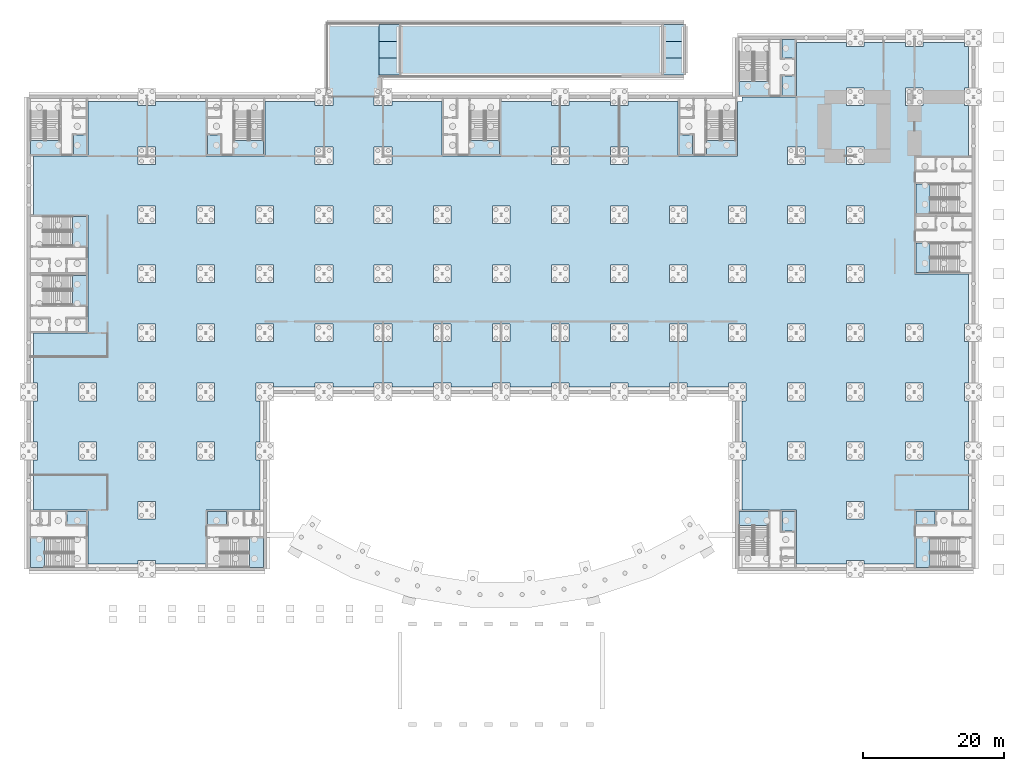
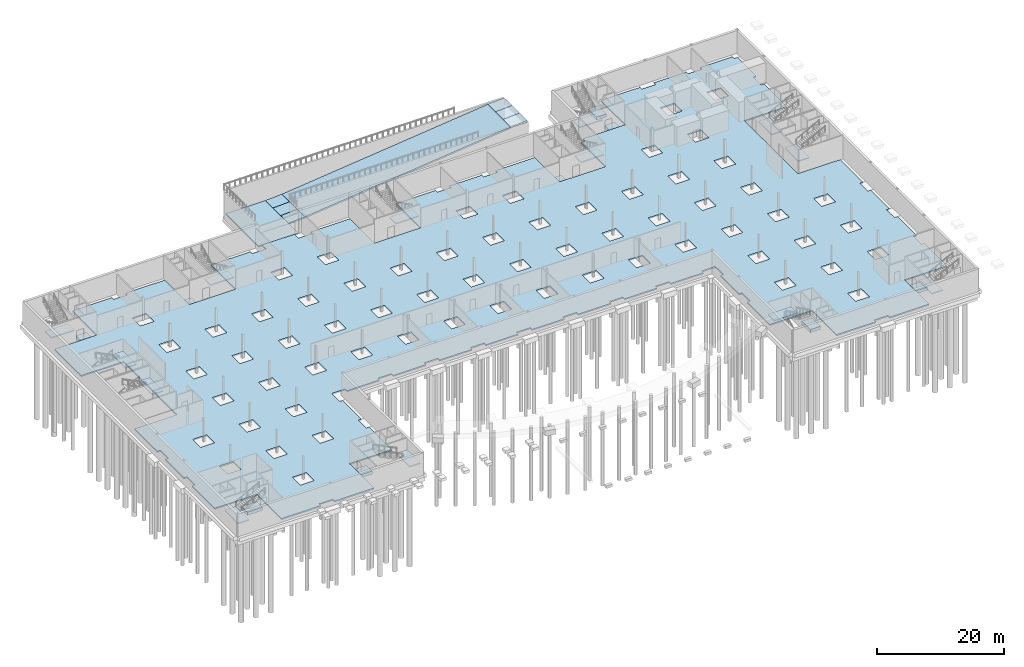
# One storey, part 17 of 35: 31 slabs, 13 elements without a shape of their own.
"""IFC4 building model written with IfcOpenShell, lengths in metres."""

import ifcopenshell
import ifcopenshell.guid

model = None  # the IFC model being written
_history = None  # IfcOwnerHistory: only IFC2X3 demands one
_inside = {}  # id of a spatial element -> (the spatial element, [elements in it])
_under = {}  # id of a project, library or spatial element -> (it, [spatial elements below it])
_declared = {}  # id of a project -> (the project, [libraries it declares])
_typed = {}  # id of a type object -> (the type object, [elements of that type])
_made_of = {}  # id of a material, layer set ... -> (it, [elements and type objects made of it])


def new_model(schema):
    """Start an empty IFC model of exactly this schema.

    Asked for "IFC4X3", IfcOpenShell would pick the latest addendum, in which some entities
    have other attributes; the version numbers below select the first issue.
    IFC2X3 requires an IfcOwnerHistory on every rooted entity: one is made here for all.
    """
    global model, _history
    if schema == "IFC4X3":
        model = ifcopenshell.file(schema_version=(4, 3, 0, 0))
    else:
        model = ifcopenshell.file(schema=schema)
    _inside.clear()
    _under.clear()
    _declared.clear()
    _typed.clear()
    _made_of.clear()
    _history = None
    if model.schema == "IFC2X3":
        org = make("IfcOrganization", Name="unknown")
        user = make(
            "IfcPersonAndOrganization",
            ThePerson=make("IfcPerson", FamilyName="unknown"),
            TheOrganization=org,
        )
        app = make(
            "IfcApplication",
            ApplicationDeveloper=org,
            Version="unknown",
            ApplicationFullName="unknown",
            ApplicationIdentifier="unknown",
        )
        _history = make(
            "IfcOwnerHistory",
            OwningUser=user,
            OwningApplication=app,
            ChangeAction="ADDED",
            CreationDate=0,
        )
    return model


def make(cls, **values):
    """One entity of the class cls with the attributes given. An attribute that is None is left unset."""
    return model.create_entity(
        cls, **{name: value for name, value in values.items() if value is not None}
    )


def rooted(cls, **values):
    """An entity with a GlobalId (a new one), such as an element, a storey or a relation."""
    return make(cls, GlobalId=ifcopenshell.guid.new(), OwnerHistory=_history, **values)


def si_unit(unit_type, name, prefix=None):
    """IfcSIUnit, for example si_unit("LENGTHUNIT", "METRE", prefix="MILLI")."""
    return make("IfcSIUnit", UnitType=unit_type, Prefix=prefix, Name=name)


def assignment(units):
    """IfcUnitAssignment: the units of a project."""
    return None if units is None else make("IfcUnitAssignment", Units=units)


def point(xyz):
    """IfcCartesianPoint."""
    return None if xyz is None else make("IfcCartesianPoint", Coordinates=xyz)


def direction(xyz):
    """IfcDirection."""
    return None if xyz is None else make("IfcDirection", DirectionRatios=xyz)


def frame(location, z_axis=None, x_axis=None):
    """IfcAxis2Placement3D, a coordinate frame: its origin and axes. An axis left out is left unset."""
    return make(
        "IfcAxis2Placement3D",
        Location=point(location),
        Axis=direction(z_axis),
        RefDirection=direction(x_axis),
    )


def origin():
    """The frame at (0, 0, 0) with its axes left unset."""
    return frame((0.0, 0.0, 0.0))


def place(relative_to, where):
    """IfcLocalPlacement: puts the frame where relative to a parent placement (None: the world)."""
    return make(
        "IfcLocalPlacement", PlacementRelTo=relative_to, RelativePlacement=where
    )


def context(
    kind, dimensions, precision=None, world=None, true_north=None, identifier=None
):
    """IfcGeometricRepresentationContext, for example the 3D "Model" context."""
    return make(
        "IfcGeometricRepresentationContext",
        ContextIdentifier=identifier,
        ContextType=kind,
        CoordinateSpaceDimension=dimensions,
        Precision=precision,
        WorldCoordinateSystem=world,
        TrueNorth=true_north,
    )


def subcontext(parent, identifier, kind, view, scale=None):
    """IfcGeometricRepresentationSubContext, for example "Body" below "Model"."""
    return make(
        "IfcGeometricRepresentationSubContext",
        ContextIdentifier=identifier,
        ContextType=kind,
        ParentContext=parent,
        TargetScale=scale,
        TargetView=view,
    )


def project(units=None, contexts=None):
    """IfcProject with its units and contexts."""
    return rooted(
        "IfcProject",
        Name="project",
        RepresentationContexts=contexts,
        UnitsInContext=assignment(units),
    )


def spatial(cls, under=None, at=None, **own):
    """A site, building, storey or space (cls), placed at a placement, below another one or the project."""
    s = rooted(cls, ObjectPlacement=at, **own)
    if under is not None:
        _under.setdefault(under.id(), (under, []))[1].append(s)
    return s


def polyline(points):
    """IfcPolyline through the points."""
    return make("IfcPolyline", Points=[point(p) for p in points])


def outline(outer, holes=None, kind="AREA"):
    """IfcArbitraryClosedProfileDef: a profile drawn as a closed curve; with holes, ...WithVoids."""
    if holes is None:
        return make("IfcArbitraryClosedProfileDef", ProfileType=kind, OuterCurve=outer)
    return make(
        "IfcArbitraryProfileDefWithVoids",
        ProfileType=kind,
        OuterCurve=outer,
        InnerCurves=holes,
    )


def extrude(swept, where, along, depth):
    """IfcExtrudedAreaSolid: the profile swept, set in the frame where, extruded along a direction by depth."""
    return make(
        "IfcExtrudedAreaSolid",
        SweptArea=swept,
        Position=where,
        ExtrudedDirection=direction(along),
        Depth=depth,
    )


def shape(context_of_items, identifier, shape_type, items):
    """IfcShapeRepresentation: the items that make up one representation, for example the "Body"."""
    return make(
        "IfcShapeRepresentation",
        ContextOfItems=context_of_items,
        RepresentationIdentifier=identifier,
        RepresentationType=shape_type,
        Items=items,
    )


def material(Name=None, Category=None):
    """IfcMaterial."""
    return make("IfcMaterial", Name=Name, Category=Category)


def layer(
    of_material, thickness, ventilated=None, Name=None, Category=None, Priority=None
):
    """IfcMaterialLayer: one layer of a wall or slab, of a material (None: an air gap)."""
    return make(
        "IfcMaterialLayer",
        Material=of_material,
        LayerThickness=thickness,
        IsVentilated=ventilated,
        Name=Name,
        Category=Category,
        Priority=Priority,
    )


def layer_set(layers, Name=None):
    """IfcMaterialLayerSet."""
    return make("IfcMaterialLayerSet", MaterialLayers=layers, LayerSetName=Name)


def made_of(thing, what):
    """Note that an element or type object is made of a material, layer set ...; save() writes the relation."""
    if what is not None:
        _made_of.setdefault(what.id(), (what, []))[1].append(thing)
    return thing


def type_object(cls, material=None, **own):
    """A type object (cls), such as IfcWallType, which elements share."""
    return made_of(rooted(cls, **own), material)


def element(
    cls,
    number,
    at=None,
    inside=None,
    cuts=None,
    type_object=None,
    material=None,
    context=None,
    identifier="Body",
    shape_type=None,
    held_by="IfcProductDefinitionShape",
    body=None,
    shapes=None,
    **own,
):
    """One element of the class cls, such as IfcWall. Its Tag is "e" and its number.

    at: its placement. inside: the storey or other place that contains it. cuts: it is an
    opening in that element (IfcRelVoidsElement). A single representation is given by context,
    identifier, shape_type and body (its items); several are given by shapes. held_by: the class
    of the entity that holds the representations. save() writes the other relations.
    """
    e = rooted(cls, Tag="e%d" % number, ObjectPlacement=at, **own)
    if body is not None:
        shapes = [shape(context, identifier, shape_type, body)]
    if shapes is not None:
        e.Representation = make(held_by, Representations=shapes)
    if inside is not None:
        _inside.setdefault(inside.id(), (inside, []))[1].append(e)
    if cuts is not None:
        rooted(
            "IfcRelVoidsElement", RelatingBuildingElement=cuts, RelatedOpeningElement=e
        )
    if type_object is not None:
        _typed.setdefault(type_object.id(), (type_object, []))[1].append(e)
    return made_of(e, material)


def aggregate(whole, parts):
    """IfcRelAggregates: a whole, such as a stair, and the parts it consists of."""
    return rooted("IfcRelAggregates", RelatingObject=whole, RelatedObjects=parts)


def save(model, path):
    """Write the relations noted so far, then the file.

    IfcRelAggregates (storeys below a building ...), IfcRelContainedInSpatialStructure (elements
    in a storey), IfcRelDefinesByType, IfcRelAssociatesMaterial and IfcRelDeclares: one each for
    every whole, place, type object, material and project.
    """
    for whole, parts in _under.values():
        aggregate(whole, parts)
    for where, things in _inside.values():
        rooted(
            "IfcRelContainedInSpatialStructure",
            RelatedElements=things,
            RelatingStructure=where,
        )
    for kind, things in _typed.values():
        rooted("IfcRelDefinesByType", RelatedObjects=things, RelatingType=kind)
    for what, things in _made_of.values():
        rooted("IfcRelAssociatesMaterial", RelatedObjects=things, RelatingMaterial=what)
    for by, libraries in _declared.values():
        rooted("IfcRelDeclares", RelatingContext=by, RelatedDefinitions=libraries)
    model.write(path)


model = new_model("IFC4")

# Units and contexts
model_context = context("Model", 3, precision=1e-05, world=origin(), true_north=direction((0.0, 1.0)))
body_context = subcontext(model_context, "Body", "Model", "MODEL_VIEW")
ifc_project = project(units=[si_unit("LENGTHUNIT", "METRE"), si_unit("AREAUNIT", "SQUARE_METRE"), si_unit("VOLUMEUNIT", "CUBIC_METRE"), si_unit("PLANEANGLEUNIT", "RADIAN"), si_unit("MASSUNIT", "GRAM", prefix="KILO")], contexts=[model_context])

# Site, building, storey
site_placement = place(None, origin())
site = spatial("IfcSite", under=ifc_project, at=site_placement, CompositionType="ELEMENT")
building_placement = place(site_placement, origin())
building = spatial("IfcBuilding", under=site, at=building_placement, Name="Ardhachandra Cancer Care Centre", CompositionType="ELEMENT")
storey_placement = place(building_placement, frame((0.0, 0.0, -4.5)))
storey = spatial("IfcBuildingStorey", under=building, at=storey_placement, Name="B1", CompositionType="ELEMENT", Elevation=-4.5)

# Slabs
ifc_material_1 = material(Name="Concrete M40", Category="concrete")
ifc_layer_1 = layer(ifc_material_1, 0.25)
ifc_layer_set_1 = layer_set([ifc_layer_1], Name="Concrete M40")
slab_type_1 = type_object("IfcSlabType", Name="Ground slab 250", PredefinedType="BASESLAB", material=ifc_layer_set_1)
slab_1_placement = place(storey_placement, frame((0.0, 0.0, -0.25)))
element("IfcSlab", 1, at=slab_1_placement, inside=storey, type_object=slab_type_1, Name="Basement ground slab 01", PredefinedType="BASESLAB", context=body_context, shape_type="SweptSolid", body=[
    extrude(outline(polyline([(11.5, 37.800048828125), (19.199951171875, 37.800048828125), (19.199951171875, 30.10009765625), (26.35009765625, 30.10009765625), (26.35009765625, 30.64990234375), (28.85009765625, 30.64990234375), (28.85009765625, 30.10009765625), (36.0, 30.10009765625), (36.0, 37.800048828125), (43.699951171875, 37.800048828125), (43.699951171875, 44.949951171875), (43.14990234375, 44.949951171875), (43.14990234375, 47.449951171875), (43.699951171875, 47.449951171875), (43.699951171875, 53.35009765625), (43.14990234375, 53.35009765625), (43.14990234375, 55.85009765625), (45.64990234375, 55.85009765625), (45.64990234375, 55.300048828125), (51.550048828125, 55.300048828125), (51.550048828125, 55.85009765625), (54.050048828125, 55.85009765625), (54.050048828125, 55.300048828125), (59.949951171875, 55.300048828125), (59.949951171875, 55.85009765625), (62.449951171875, 55.85009765625), (62.449951171875, 55.300048828125), (68.35009765625, 55.300048828125), (68.35009765625, 55.85009765625), (70.85009765625, 55.85009765625), (70.85009765625, 55.300048828125), (76.75, 55.300048828125), (76.75, 55.85009765625), (79.25, 55.85009765625), (79.25, 55.300048828125), (85.14990234375, 55.300048828125), (85.14990234375, 55.85009765625), (87.64990234375, 55.85009765625), (87.64990234375, 55.300048828125), (93.550048828125, 55.300048828125), (93.550048828125, 55.85009765625), (96.050048828125, 55.85009765625), (96.050048828125, 55.300048828125), (101.949951171875, 55.300048828125), (101.949951171875, 55.85009765625), (104.449951171875, 55.85009765625), (104.449951171875, 55.300048828125), (110.35009765625, 55.300048828125), (110.35009765625, 55.85009765625), (112.85009765625, 55.85009765625), (112.85009765625, 53.35009765625), (112.300048828125, 53.35009765625), (112.300048828125, 47.449951171875), (112.85009765625, 47.449951171875), (112.85009765625, 44.949951171875), (112.300048828125, 44.949951171875), (112.300048828125, 37.800048828125), (120.0, 37.800048828125), (120.0, 30.10009765625), (127.14990234375, 30.10009765625), (127.14990234375, 30.64990234375), (129.64990234375, 30.64990234375), (129.64990234375, 30.10009765625), (136.800048828125, 30.10009765625), (136.800048828125, 37.800048828125), (144.5, 37.800048828125), (144.5, 44.949951171875), (143.949951171875, 44.949951171875), (143.949951171875, 47.449951171875), (144.5, 47.449951171875), (144.5, 53.35009765625), (143.949951171875, 53.35009765625), (143.949951171875, 55.85009765625), (144.5, 55.85009765625), (144.5, 61.75), (143.949951171875, 61.75), (143.949951171875, 64.25), (144.5, 64.25), (144.5, 71.39990234375), (136.800048828125, 71.39990234375), (136.800048828125, 79.800048828125), (136.800048828125, 88.199951171875), (144.5, 88.199951171875), (144.5, 95.35009765625), (143.949951171875, 95.35009765625), (143.949951171875, 97.85009765625), (144.5, 97.85009765625), (144.5, 103.75), (143.949951171875, 103.75), (143.949951171875, 104.300048828125), (138.050048828125, 104.300048828125), (138.050048828125, 103.75), (135.550048828125, 103.75), (135.550048828125, 104.300048828125), (129.64990234375, 104.300048828125), (129.64990234375, 103.75), (127.14990234375, 103.75), (127.14990234375, 104.300048828125), (120.0, 104.300048828125), (120.0, 96.60009765625), (112.300048828125, 96.60009765625), (112.300048828125, 95.89990234375), (111.60009765625, 95.89990234375), (111.60009765625, 88.199951171875), (103.199951171875, 88.199951171875), (103.199951171875, 95.89990234375), (96.050048828125, 95.89990234375), (96.050048828125, 95.35009765625), (93.550048828125, 95.35009765625), (93.550048828125, 95.89990234375), (87.64990234375, 95.89990234375), (87.64990234375, 95.35009765625), (85.14990234375, 95.35009765625), (85.14990234375, 95.89990234375), (78.0, 95.89990234375), (78.0, 88.199951171875), (69.60009765625, 88.199951171875), (69.60009765625, 95.89990234375), (62.449951171875, 95.89990234375), (62.449951171875, 95.35009765625), (59.949951171875, 95.35009765625), (59.949951171875, 96.60009765625), (54.050048828125, 96.60009765625), (54.050048828125, 95.35009765625), (51.550048828125, 95.35009765625), (51.550048828125, 95.89990234375), (44.39990234375, 95.89990234375), (44.39990234375, 88.199951171875), (36.0, 88.199951171875), (36.0, 95.89990234375), (28.85009765625, 95.89990234375), (28.85009765625, 95.35009765625), (26.35009765625, 95.35009765625), (26.35009765625, 95.89990234375), (19.199951171875, 95.89990234375), (19.199951171875, 88.199951171875), (11.5, 88.199951171875), (11.5, 79.800048828125), (19.199951171875, 79.800048828125), (19.199951171875, 71.39990234375), (19.199951171875, 63.0), (11.5, 63.0), (11.5, 55.85009765625), (12.050048828125, 55.85009765625), (12.050048828125, 53.35009765625), (11.5, 53.35009765625), (11.5, 47.449951171875), (12.050048828125, 47.449951171875), (12.050048828125, 44.949951171875), (11.5, 44.949951171875), (11.5, 37.800048828125)]), holes=[polyline([(26.35009765625, 36.550048828125), (28.85009765625, 36.550048828125), (28.85009765625, 39.050048828125), (26.35009765625, 39.050048828125), (26.35009765625, 36.550048828125)]), polyline([(34.75, 44.949951171875), (37.25, 44.949951171875), (37.25, 47.449951171875), (34.75, 47.449951171875), (34.75, 44.949951171875)]), polyline([(17.949951171875, 47.449951171875), (17.949951171875, 44.949951171875), (20.449951171875, 44.949951171875), (20.449951171875, 47.449951171875), (17.949951171875, 47.449951171875)]), polyline([(26.35009765625, 47.449951171875), (26.35009765625, 44.949951171875), (28.85009765625, 44.949951171875), (28.85009765625, 47.449951171875), (26.35009765625, 47.449951171875)]), polyline([(34.75, 55.85009765625), (34.75, 53.35009765625), (37.25, 53.35009765625), (37.25, 55.85009765625), (34.75, 55.85009765625)]), polyline([(26.35009765625, 55.85009765625), (26.35009765625, 53.35009765625), (28.85009765625, 53.35009765625), (28.85009765625, 55.85009765625), (26.35009765625, 55.85009765625)]), polyline([(17.949951171875, 53.35009765625), (20.449951171875, 53.35009765625), (20.449951171875, 55.85009765625), (17.949951171875, 55.85009765625), (17.949951171875, 53.35009765625)]), polyline([(26.35009765625, 64.25), (26.35009765625, 61.75), (28.85009765625, 61.75), (28.85009765625, 64.25), (26.35009765625, 64.25)]), polyline([(34.75, 64.25), (34.75, 61.75), (37.25, 61.75), (37.25, 64.25), (34.75, 64.25)]), polyline([(26.35009765625, 72.64990234375), (26.35009765625, 70.14990234375), (28.85009765625, 70.14990234375), (28.85009765625, 72.64990234375), (26.35009765625, 72.64990234375)]), polyline([(34.75, 72.64990234375), (34.75, 70.14990234375), (37.25, 70.14990234375), (37.25, 72.64990234375), (34.75, 72.64990234375)]), polyline([(26.35009765625, 81.050048828125), (26.35009765625, 78.550048828125), (28.85009765625, 78.550048828125), (28.85009765625, 81.050048828125), (26.35009765625, 81.050048828125)]), polyline([(34.75, 81.050048828125), (34.75, 78.550048828125), (37.25, 78.550048828125), (37.25, 81.050048828125), (34.75, 81.050048828125)]), polyline([(43.14990234375, 81.050048828125), (43.14990234375, 78.550048828125), (45.64990234375, 78.550048828125), (45.64990234375, 81.050048828125), (43.14990234375, 81.050048828125)]), polyline([(26.35009765625, 89.449951171875), (26.35009765625, 86.949951171875), (28.85009765625, 86.949951171875), (28.85009765625, 89.449951171875), (26.35009765625, 89.449951171875)]), polyline([(43.14990234375, 61.75), (45.64990234375, 61.75), (45.64990234375, 64.25), (43.14990234375, 64.25), (43.14990234375, 61.75)]), polyline([(76.75, 64.25), (76.75, 61.75), (79.25, 61.75), (79.25, 64.25), (76.75, 64.25)]), polyline([(51.550048828125, 64.25), (51.550048828125, 61.75), (54.050048828125, 61.75), (54.050048828125, 64.25), (51.550048828125, 64.25)]), polyline([(68.35009765625, 64.25), (68.35009765625, 61.75), (70.85009765625, 61.75), (70.85009765625, 64.25), (68.35009765625, 64.25)]), polyline([(59.949951171875, 64.25), (59.949951171875, 61.75), (62.449951171875, 61.75), (62.449951171875, 64.25), (59.949951171875, 64.25)]), polyline([(43.14990234375, 72.64990234375), (43.14990234375, 70.14990234375), (45.64990234375, 70.14990234375), (45.64990234375, 72.64990234375), (43.14990234375, 72.64990234375)]), polyline([(76.75, 72.64990234375), (76.75, 70.14990234375), (79.25, 70.14990234375), (79.25, 72.64990234375), (76.75, 72.64990234375)]), polyline([(68.35009765625, 70.14990234375), (70.85009765625, 70.14990234375), (70.85009765625, 72.64990234375), (68.35009765625, 72.64990234375), (68.35009765625, 70.14990234375)]), polyline([(59.949951171875, 72.64990234375), (59.949951171875, 70.14990234375), (62.449951171875, 70.14990234375), (62.449951171875, 72.64990234375), (59.949951171875, 72.64990234375)]), polyline([(51.550048828125, 72.64990234375), (51.550048828125, 70.14990234375), (54.050048828125, 70.14990234375), (54.050048828125, 72.64990234375), (51.550048828125, 72.64990234375)]), polyline([(59.949951171875, 78.550048828125), (62.449951171875, 78.550048828125), (62.449951171875, 81.050048828125), (59.949951171875, 81.050048828125), (59.949951171875, 78.550048828125)]), polyline([(51.550048828125, 81.050048828125), (51.550048828125, 78.550048828125), (54.050048828125, 78.550048828125), (54.050048828125, 81.050048828125), (51.550048828125, 81.050048828125)]), polyline([(68.35009765625, 81.050048828125), (68.35009765625, 78.550048828125), (70.85009765625, 78.550048828125), (70.85009765625, 81.050048828125), (68.35009765625, 81.050048828125)]), polyline([(76.75, 78.550048828125), (79.25, 78.550048828125), (79.25, 81.050048828125), (76.75, 81.050048828125), (76.75, 78.550048828125)]), polyline([(85.14990234375, 81.050048828125), (85.14990234375, 78.550048828125), (87.64990234375, 78.550048828125), (87.64990234375, 81.050048828125), (85.14990234375, 81.050048828125)]), polyline([(59.949951171875, 89.449951171875), (59.949951171875, 86.949951171875), (62.449951171875, 86.949951171875), (62.449951171875, 89.449951171875), (59.949951171875, 89.449951171875)]), polyline([(51.550048828125, 89.449951171875), (51.550048828125, 86.949951171875), (54.050048828125, 86.949951171875), (54.050048828125, 89.449951171875), (51.550048828125, 89.449951171875)]), polyline([(85.14990234375, 89.449951171875), (85.14990234375, 86.949951171875), (87.64990234375, 86.949951171875), (87.64990234375, 89.449951171875), (85.14990234375, 89.449951171875)]), polyline([(118.75, 47.449951171875), (118.75, 44.949951171875), (121.25, 44.949951171875), (121.25, 47.449951171875), (118.75, 47.449951171875)]), polyline([(118.75, 55.85009765625), (118.75, 53.35009765625), (121.25, 53.35009765625), (121.25, 55.85009765625), (118.75, 55.85009765625)]), polyline([(93.550048828125, 64.25), (93.550048828125, 61.75), (96.050048828125, 61.75), (96.050048828125, 64.25), (93.550048828125, 64.25)]), polyline([(101.949951171875, 64.25), (101.949951171875, 61.75), (104.449951171875, 61.75), (104.449951171875, 64.25), (101.949951171875, 64.25)]), polyline([(85.14990234375, 64.25), (85.14990234375, 61.75), (87.64990234375, 61.75), (87.64990234375, 64.25), (85.14990234375, 64.25)]), polyline([(110.35009765625, 64.25), (110.35009765625, 61.75), (112.85009765625, 61.75), (112.85009765625, 64.25), (110.35009765625, 64.25)]), polyline([(85.14990234375, 70.14990234375), (87.64990234375, 70.14990234375), (87.64990234375, 72.64990234375), (85.14990234375, 72.64990234375), (85.14990234375, 70.14990234375)]), polyline([(118.75, 72.64990234375), (118.75, 70.14990234375), (121.25, 70.14990234375), (121.25, 72.64990234375), (118.75, 72.64990234375)]), polyline([(101.949951171875, 72.64990234375), (101.949951171875, 70.14990234375), (104.449951171875, 70.14990234375), (104.449951171875, 72.64990234375), (101.949951171875, 72.64990234375)]), polyline([(110.35009765625, 70.14990234375), (112.85009765625, 70.14990234375), (112.85009765625, 72.64990234375), (110.35009765625, 72.64990234375), (110.35009765625, 70.14990234375)]), polyline([(93.550048828125, 72.64990234375), (93.550048828125, 70.14990234375), (96.050048828125, 70.14990234375), (96.050048828125, 72.64990234375), (93.550048828125, 72.64990234375)]), polyline([(93.550048828125, 81.050048828125), (93.550048828125, 78.550048828125), (96.050048828125, 78.550048828125), (96.050048828125, 81.050048828125), (93.550048828125, 81.050048828125)]), polyline([(110.35009765625, 78.550048828125), (112.85009765625, 78.550048828125), (112.85009765625, 81.050048828125), (110.35009765625, 81.050048828125), (110.35009765625, 78.550048828125)]), polyline([(101.949951171875, 81.050048828125), (101.949951171875, 78.550048828125), (104.449951171875, 78.550048828125), (104.449951171875, 81.050048828125), (101.949951171875, 81.050048828125)]), polyline([(93.550048828125, 89.449951171875), (93.550048828125, 86.949951171875), (96.050048828125, 86.949951171875), (96.050048828125, 89.449951171875), (93.550048828125, 89.449951171875)]), polyline([(118.75, 89.449951171875), (118.75, 86.949951171875), (121.25, 86.949951171875), (121.25, 89.449951171875), (118.75, 89.449951171875)]), polyline([(127.14990234375, 36.550048828125), (129.64990234375, 36.550048828125), (129.64990234375, 39.050048828125), (127.14990234375, 39.050048828125), (127.14990234375, 36.550048828125)]), polyline([(135.550048828125, 47.449951171875), (135.550048828125, 44.949951171875), (138.050048828125, 44.949951171875), (138.050048828125, 47.449951171875), (135.550048828125, 47.449951171875)]), polyline([(127.14990234375, 44.949951171875), (129.64990234375, 44.949951171875), (129.64990234375, 47.449951171875), (127.14990234375, 47.449951171875), (127.14990234375, 44.949951171875)]), polyline([(135.550048828125, 55.85009765625), (135.550048828125, 53.35009765625), (138.050048828125, 53.35009765625), (138.050048828125, 55.85009765625), (135.550048828125, 55.85009765625)]), polyline([(127.14990234375, 55.85009765625), (127.14990234375, 53.35009765625), (129.64990234375, 53.35009765625), (129.64990234375, 55.85009765625), (127.14990234375, 55.85009765625)]), polyline([(127.14990234375, 64.25), (127.14990234375, 61.75), (129.64990234375, 61.75), (129.64990234375, 64.25), (127.14990234375, 64.25)]), polyline([(135.550048828125, 64.25), (135.550048828125, 61.75), (138.050048828125, 61.75), (138.050048828125, 64.25), (135.550048828125, 64.25)]), polyline([(118.75, 61.75), (121.25, 61.75), (121.25, 64.25), (118.75, 64.25), (118.75, 61.75)]), polyline([(127.14990234375, 72.64990234375), (127.14990234375, 70.14990234375), (129.64990234375, 70.14990234375), (129.64990234375, 72.64990234375), (127.14990234375, 72.64990234375)]), polyline([(127.14990234375, 78.550048828125), (129.64990234375, 78.550048828125), (129.64990234375, 81.050048828125), (127.14990234375, 81.050048828125), (127.14990234375, 78.550048828125)]), polyline([(118.75, 81.050048828125), (118.75, 78.550048828125), (121.25, 78.550048828125), (121.25, 81.050048828125), (118.75, 81.050048828125)]), polyline([(127.14990234375, 86.949951171875), (129.64990234375, 86.949951171875), (129.64990234375, 89.449951171875), (127.14990234375, 89.449951171875), (127.14990234375, 86.949951171875)]), polyline([(135.550048828125, 97.85009765625), (135.550048828125, 95.35009765625), (138.050048828125, 95.35009765625), (138.050048828125, 97.85009765625), (135.550048828125, 97.85009765625)]), polyline([(127.14990234375, 97.85009765625), (127.14990234375, 95.35009765625), (129.64990234375, 95.35009765625), (129.64990234375, 97.85009765625), (127.14990234375, 97.85009765625)])]), origin(), (0.0, 0.0, 1.0), 0.25),
])
ifc_material_2 = material(Name="Concrete M40", Category="concrete")
ifc_layer_2 = layer(ifc_material_2, 0.60009765625)
ifc_layer_set_2 = layer_set([ifc_layer_2], Name="Concrete M40")
slab_type_2 = type_object("IfcSlabType", Name="Lift pit slab 600", PredefinedType="BASESLAB", material=ifc_layer_set_2)
slab_2_placement = place(storey_placement, frame((0.0, 0.0, -1.800048828125)))
element("IfcSlab", 2, at=slab_2_placement, inside=storey, type_object=slab_type_2, Name="Lift pit slab K1-1", PredefinedType="BASESLAB", context=body_context, shape_type="SweptSolid", body=[
    extrude(outline(polyline([(16.25, 35.75), (19.0, 35.75), (19.0, 37.60009765625), (16.25, 37.60009765625), (16.25, 35.75)])), origin(), (0.0, 0.0, 1.0), 0.60009765625),
])
slab_3_placement = place(storey_placement, frame((0.0, 0.0, -1.800048828125)))
element("IfcSlab", 3, at=slab_3_placement, inside=storey, type_object=slab_type_2, Name="Lift pit slab K2-1", PredefinedType="BASESLAB", context=body_context, shape_type="SweptSolid", body=[
    extrude(outline(polyline([(36.199951171875, 35.75), (38.949951171875, 35.75), (38.949951171875, 37.60009765625), (36.199951171875, 37.60009765625), (36.199951171875, 35.75)])), origin(), (0.0, 0.0, 1.0), 0.60009765625),
])
slab_4_placement = place(storey_placement, frame((0.0, 0.0, -1.800048828125)))
element("IfcSlab", 4, at=slab_4_placement, inside=storey, type_object=slab_type_2, Name="Lift pit slab K4-1", PredefinedType="BASESLAB", context=body_context, shape_type="SweptSolid", body=[
    extrude(outline(polyline([(17.14990234375, 88.39990234375), (19.0, 88.39990234375), (19.0, 91.14990234375), (17.14990234375, 91.14990234375), (17.14990234375, 88.39990234375)])), origin(), (0.0, 0.0, 1.0), 0.60009765625),
])
slab_5_placement = place(storey_placement, frame((0.0, 0.0, -1.800048828125)))
element("IfcSlab", 5, at=slab_5_placement, inside=storey, type_object=slab_type_2, Name="Lift pit slab K5-1", PredefinedType="BASESLAB", context=body_context, shape_type="SweptSolid", body=[
    extrude(outline(polyline([(36.199951171875, 88.39990234375), (38.050048828125, 88.39990234375), (38.050048828125, 91.14990234375), (36.199951171875, 91.14990234375), (36.199951171875, 88.39990234375)])), origin(), (0.0, 0.0, 1.0), 0.60009765625),
])
slab_6_placement = place(storey_placement, frame((0.0, 0.0, -1.800048828125)))
element("IfcSlab", 6, at=slab_6_placement, inside=storey, type_object=slab_type_2, Name="Lift pit slab K7-1", PredefinedType="BASESLAB", context=body_context, shape_type="SweptSolid", body=[
    extrude(outline(polyline([(103.39990234375, 88.39990234375), (105.25, 88.39990234375), (105.25, 91.14990234375), (103.39990234375, 91.14990234375), (103.39990234375, 88.39990234375)])), origin(), (0.0, 0.0, 1.0), 0.60009765625),
])
slab_7_placement = place(storey_placement, frame((0.0, 0.0, -1.800048828125)))
element("IfcSlab", 7, at=slab_7_placement, inside=storey, type_object=slab_type_2, Name="Lift pit slab K9-1", PredefinedType="BASESLAB", context=body_context, shape_type="SweptSolid", body=[
    extrude(outline(polyline([(137.0, 35.75), (139.75, 35.75), (139.75, 37.60009765625), (137.0, 37.60009765625), (137.0, 35.75)])), origin(), (0.0, 0.0, 1.0), 0.60009765625),
])
slab_8_placement = place(storey_placement, frame((0.0, 0.0, -1.800048828125)))
element("IfcSlab", 8, at=slab_8_placement, inside=storey, type_object=slab_type_2, Name="Lift pit slab K11-1", PredefinedType="BASESLAB", context=body_context, shape_type="SweptSolid", body=[
    extrude(outline(polyline([(117.949951171875, 34.85009765625), (119.800048828125, 34.85009765625), (119.800048828125, 37.60009765625), (117.949951171875, 37.60009765625), (117.949951171875, 34.85009765625)])), origin(), (0.0, 0.0, 1.0), 0.60009765625),
])
slab_9_placement = place(storey_placement, frame((0.0, 0.0, -1.800048828125)))
element("IfcSlab", 9, at=slab_9_placement, inside=storey, type_object=slab_type_2, Name="Lift pit slab K12-1", PredefinedType="BASESLAB", context=body_context, shape_type="SweptSolid", body=[
    extrude(outline(polyline([(117.949951171875, 96.800048828125), (119.800048828125, 96.800048828125), (119.800048828125, 99.550048828125), (117.949951171875, 99.550048828125), (117.949951171875, 96.800048828125)])), origin(), (0.0, 0.0, 1.0), 0.60009765625),
])
slab_10_placement = place(storey_placement, frame((0.0, 0.0, -1.800048828125)))
element("IfcSlab", 10, at=slab_10_placement, inside=storey, type_object=slab_type_2, Name="Lift pit slab K12-2", PredefinedType="BASESLAB", context=body_context, shape_type="SweptSolid", body=[
    extrude(outline(polyline([(117.949951171875, 102.125), (119.800048828125, 102.125), (119.800048828125, 104.77490234375), (117.949951171875, 104.77490234375), (117.949951171875, 102.125)])), origin(), (0.0, 0.0, 1.0), 0.60009765625),
])
ifc_material_3 = material(Name="Concrete M40", Category="concrete")
ifc_layer_3 = layer(ifc_material_3, 0.25)
ifc_layer_set_3 = layer_set([ifc_layer_3], Name="Concrete M40")
slab_type_3 = type_object("IfcSlabType", Name="Ramp pit floor 250", PredefinedType="LANDING", material=ifc_layer_set_3)
slab_11_placement = place(storey_placement, frame((0.0, 0.0, -0.25)))
element("IfcSlab", 11, at=slab_11_placement, inside=storey, type_object=slab_type_3, Name="Vehicle ramp pit floor", PredefinedType="LANDING", context=body_context, shape_type="SweptSolid", body=[
    extrude(outline(polyline([(53.39990234375, 96.60009765625), (60.60009765625, 96.60009765625), (60.60009765625, 106.89990234375), (53.39990234375, 106.89990234375), (53.39990234375, 96.60009765625)])), origin(), (0.0, 0.0, 1.0), 0.25),
])

# Stair, slab
ifc_material_4 = material(Name="Concrete M40", Category="concrete")
stair_type = type_object("IfcStairType", Name="Dog-leg stair 2000", PredefinedType="HALF_TURN_STAIR", material=ifc_material_4)
stair_1_placement = place(storey_placement, origin())
stair_1 = element("IfcStair", 12, at=stair_1_placement, inside=storey, type_object=stair_type, Name="Stair K1 B1-L00", PredefinedType="HALF_TURN_STAIR")
ifc_material_5 = material(Name="Concrete M40", Category="concrete")
ifc_layer_4 = layer(ifc_material_5, 0.199951171875)
ifc_layer_set_4 = layer_set([ifc_layer_4], Name="Concrete M40")
slab_type_4 = type_object("IfcSlabType", Name="Stair landing 200", PredefinedType="LANDING", material=ifc_layer_set_4)
slab_12_placement = place(storey_placement, frame((0.0, 0.0, 2.050048828125)))
slab_12 = element("IfcSlab", 13, at=slab_12_placement, type_object=slab_type_4, Name="stair K1 B1-L00 landing 1", PredefinedType="LANDING", context=body_context, shape_type="SweptSolid", body=[
    extrude(outline(polyline([(11.02490234375, 29.625), (13.02490234375, 29.625), (13.02490234375, 33.824951171875), (11.02490234375, 33.824951171875), (11.02490234375, 29.625)])), origin(), (0.0, 0.0, 1.0), 0.199951171875),
])
aggregate(stair_1, [slab_12])

stair_2_placement = place(storey_placement, origin())
stair_2 = element("IfcStair", 14, at=stair_2_placement, inside=storey, type_object=stair_type, Name="Stair K2 B1-L00", PredefinedType="HALF_TURN_STAIR")
slab_13_placement = place(storey_placement, frame((0.0, 0.0, 2.050048828125)))
slab_13 = element("IfcSlab", 15, at=slab_13_placement, type_object=slab_type_4, Name="stair K2 B1-L00 landing 1", PredefinedType="LANDING", context=body_context, shape_type="SweptSolid", body=[
    extrude(outline(polyline([(42.175048828125, 29.625), (44.175048828125, 29.625), (44.175048828125, 33.824951171875), (42.175048828125, 33.824951171875), (42.175048828125, 29.625)])), origin(), (0.0, 0.0, 1.0), 0.199951171875),
])
aggregate(stair_2, [slab_13])

stair_3_placement = place(storey_placement, origin())
stair_3 = element("IfcStair", 16, at=stair_3_placement, inside=storey, type_object=stair_type, Name="Stair K3 B1-L00", PredefinedType="HALF_TURN_STAIR")
slab_14_placement = place(storey_placement, frame((0.0, 0.0, 2.050048828125)))
slab_14 = element("IfcSlab", 17, at=slab_14_placement, type_object=slab_type_4, Name="stair K3 B1-L00 landing 1", PredefinedType="LANDING", context=body_context, shape_type="SweptSolid", body=[
    extrude(outline(polyline([(17.0, 67.0), (19.0, 67.0), (19.0, 71.199951171875), (17.0, 71.199951171875), (17.0, 67.0)])), origin(), (0.0, 0.0, 1.0), 0.199951171875),
])
aggregate(stair_3, [slab_14])

stair_4_placement = place(storey_placement, origin())
stair_4 = element("IfcStair", 18, at=stair_4_placement, inside=storey, type_object=stair_type, Name="Stair K4 B1-L00", PredefinedType="HALF_TURN_STAIR")
slab_15_placement = place(storey_placement, frame((0.0, 0.0, 2.050048828125)))
slab_15 = element("IfcSlab", 19, at=slab_15_placement, type_object=slab_type_4, Name="stair K4 B1-L00 landing 1", PredefinedType="LANDING", context=body_context, shape_type="SweptSolid", body=[
    extrude(outline(polyline([(11.02490234375, 88.39990234375), (15.22509765625, 88.39990234375), (15.22509765625, 90.39990234375), (11.02490234375, 90.39990234375), (11.02490234375, 88.39990234375)])), origin(), (0.0, 0.0, 1.0), 0.199951171875),
])
aggregate(stair_4, [slab_15])

stair_5_placement = place(storey_placement, origin())
stair_5 = element("IfcStair", 20, at=stair_5_placement, inside=storey, type_object=stair_type, Name="Stair K5 B1-L00", PredefinedType="HALF_TURN_STAIR")
slab_16_placement = place(storey_placement, frame((0.0, 0.0, 2.050048828125)))
slab_16 = element("IfcSlab", 21, at=slab_16_placement, type_object=slab_type_4, Name="stair K5 B1-L00 landing 1", PredefinedType="LANDING", context=body_context, shape_type="SweptSolid", body=[
    extrude(outline(polyline([(40.0, 88.39990234375), (44.199951171875, 88.39990234375), (44.199951171875, 90.39990234375), (40.0, 90.39990234375), (40.0, 88.39990234375)])), origin(), (0.0, 0.0, 1.0), 0.199951171875),
])
aggregate(stair_5, [slab_16])

stair_6_placement = place(storey_placement, origin())
stair_6 = element("IfcStair", 22, at=stair_6_placement, inside=storey, type_object=stair_type, Name="Stair K6 B1-L00", PredefinedType="HALF_TURN_STAIR")
slab_17_placement = place(storey_placement, frame((0.0, 0.0, 2.050048828125)))
slab_17 = element("IfcSlab", 23, at=slab_17_placement, type_object=slab_type_4, Name="stair K6 B1-L00 landing 1", PredefinedType="LANDING", context=body_context, shape_type="SweptSolid", body=[
    extrude(outline(polyline([(17.0, 75.39990234375), (19.0, 75.39990234375), (19.0, 79.60009765625), (17.0, 79.60009765625), (17.0, 75.39990234375)])), origin(), (0.0, 0.0, 1.0), 0.199951171875),
])
aggregate(stair_6, [slab_17])

stair_7_placement = place(storey_placement, origin())
stair_7 = element("IfcStair", 24, at=stair_7_placement, inside=storey, type_object=stair_type, Name="Stair K7 B1-L00", PredefinedType="HALF_TURN_STAIR")
slab_18_placement = place(storey_placement, frame((0.0, 0.0, 2.050048828125)))
slab_18 = element("IfcSlab", 25, at=slab_18_placement, type_object=slab_type_4, Name="stair K7 B1-L00 landing 1", PredefinedType="LANDING", context=body_context, shape_type="SweptSolid", body=[
    extrude(outline(polyline([(107.199951171875, 88.39990234375), (111.39990234375, 88.39990234375), (111.39990234375, 90.39990234375), (107.199951171875, 90.39990234375), (107.199951171875, 88.39990234375)])), origin(), (0.0, 0.0, 1.0), 0.199951171875),
])
aggregate(stair_7, [slab_18])

stair_8_placement = place(storey_placement, origin())
stair_8 = element("IfcStair", 26, at=stair_8_placement, inside=storey, type_object=stair_type, Name="Stair K8 B1-L00", PredefinedType="HALF_TURN_STAIR")
slab_19_placement = place(storey_placement, frame((0.0, 0.0, 2.050048828125)))
slab_19 = element("IfcSlab", 27, at=slab_19_placement, type_object=slab_type_4, Name="stair K8 B1-L00 landing 1", PredefinedType="LANDING", context=body_context, shape_type="SweptSolid", body=[
    extrude(outline(polyline([(73.60009765625, 88.39990234375), (77.800048828125, 88.39990234375), (77.800048828125, 90.39990234375), (73.60009765625, 90.39990234375), (73.60009765625, 88.39990234375)])), origin(), (0.0, 0.0, 1.0), 0.199951171875),
])
aggregate(stair_8, [slab_19])

stair_9_placement = place(storey_placement, origin())
stair_9 = element("IfcStair", 28, at=stair_9_placement, inside=storey, type_object=stair_type, Name="Stair K9 B1-L00", PredefinedType="HALF_TURN_STAIR")
slab_20_placement = place(storey_placement, frame((0.0, 0.0, 2.050048828125)))
slab_20 = element("IfcSlab", 29, at=slab_20_placement, type_object=slab_type_4, Name="stair K9 B1-L00 landing 1", PredefinedType="LANDING", context=body_context, shape_type="SweptSolid", body=[
    extrude(outline(polyline([(137.0, 29.625), (139.0, 29.625), (139.0, 33.824951171875), (137.0, 33.824951171875), (137.0, 29.625)])), origin(), (0.0, 0.0, 1.0), 0.199951171875),
])
aggregate(stair_9, [slab_20])

stair_10_placement = place(storey_placement, origin())
stair_10 = element("IfcStair", 30, at=stair_10_placement, inside=storey, type_object=stair_type, Name="Stair K10 B1-L00", PredefinedType="HALF_TURN_STAIR")
slab_21_placement = place(storey_placement, frame((0.0, 0.0, 2.050048828125)))
slab_21 = element("IfcSlab", 31, at=slab_21_placement, type_object=slab_type_4, Name="stair K10 B1-L00 landing 1", PredefinedType="LANDING", context=body_context, shape_type="SweptSolid", body=[
    extrude(outline(polyline([(137.0, 71.60009765625), (139.0, 71.60009765625), (139.0, 75.800048828125), (137.0, 75.800048828125), (137.0, 71.60009765625)])), origin(), (0.0, 0.0, 1.0), 0.199951171875),
])
aggregate(stair_10, [slab_21])

stair_11_placement = place(storey_placement, origin())
stair_11 = element("IfcStair", 32, at=stair_11_placement, inside=storey, type_object=stair_type, Name="Stair K11 B1-L00", PredefinedType="HALF_TURN_STAIR")
slab_22_placement = place(storey_placement, frame((0.0, 0.0, 2.050048828125)))
slab_22 = element("IfcSlab", 33, at=slab_22_placement, type_object=slab_type_4, Name="stair K11 B1-L00 landing 1", PredefinedType="LANDING", context=body_context, shape_type="SweptSolid", body=[
    extrude(outline(polyline([(111.824951171875, 35.60009765625), (116.02490234375, 35.60009765625), (116.02490234375, 37.60009765625), (111.824951171875, 37.60009765625), (111.824951171875, 35.60009765625)])), origin(), (0.0, 0.0, 1.0), 0.199951171875),
])
aggregate(stair_11, [slab_22])

stair_12_placement = place(storey_placement, origin())
stair_12 = element("IfcStair", 34, at=stair_12_placement, inside=storey, type_object=stair_type, Name="Stair K12 B1-L00", PredefinedType="HALF_TURN_STAIR")
slab_23_placement = place(storey_placement, frame((0.0, 0.0, 2.050048828125)))
slab_23 = element("IfcSlab", 35, at=slab_23_placement, type_object=slab_type_4, Name="stair K12 B1-L00 landing 1", PredefinedType="LANDING", context=body_context, shape_type="SweptSolid", body=[
    extrude(outline(polyline([(111.824951171875, 96.800048828125), (116.02490234375, 96.800048828125), (116.02490234375, 98.800048828125), (111.824951171875, 98.800048828125), (111.824951171875, 96.800048828125)])), origin(), (0.0, 0.0, 1.0), 0.199951171875),
])
aggregate(stair_12, [slab_23])

stair_13_placement = place(storey_placement, origin())
stair_13 = element("IfcStair", 36, at=stair_13_placement, inside=storey, type_object=stair_type, Name="Stair K13 B1-L00", PredefinedType="HALF_TURN_STAIR")
slab_24_placement = place(storey_placement, frame((0.0, 0.0, 2.050048828125)))
slab_24 = element("IfcSlab", 37, at=slab_24_placement, type_object=slab_type_4, Name="stair K13 B1-L00 landing 1", PredefinedType="LANDING", context=body_context, shape_type="SweptSolid", body=[
    extrude(outline(polyline([(137.0, 80.0), (139.0, 80.0), (139.0, 84.199951171875), (137.0, 84.199951171875), (137.0, 80.0)])), origin(), (0.0, 0.0, 1.0), 0.199951171875),
])
aggregate(stair_13, [slab_24])

# Slabs
ifc_material_6 = material(Name="Concrete M40", Category="concrete")
ifc_layer_5 = layer(ifc_material_6, 0.300048828125)
ifc_layer_set_5 = layer_set([ifc_layer_5], Name="Concrete M40")
slab_type_5 = type_object("IfcSlabType", Name="Vehicle ramp slab 300", PredefinedType="LANDING", material=ifc_layer_set_5)
for number, where, z_axis, x_axis, name in (
    (38, (104.0, 100.89990234375, 4.5), (0.0, 0.0, 1.0), (-1.0, 0.0, 0.0), "Vehicle ramp slab 1"),
    (39, (104.0, 103.300048828125, 4.5), (0.0, 0.0, 1.0), (-1.0, 0.0, 0.0), "Vehicle ramp slab 2"),
    (40, (104.0, 105.699951171875, 4.5), (0.0, 0.0, 1.0), (-1.0, 0.0, 0.0), "Vehicle ramp slab 3"),
):
    element("IfcSlab", number, at=place(storey_placement, frame(where, z_axis=z_axis, x_axis=x_axis)), inside=storey, type_object=slab_type_5, Name=name, PredefinedType="LANDING", context=body_context, shape_type="SweptSolid", body=[
        extrude(outline(polyline([(0.0, -0.300537109375), (3.0, -0.467529296875), (3.0, -0.1669921875), (0.0, 0.0), (0.0, -0.300537109375)])), frame((0.0, 1.199951171875, 0.0), z_axis=(0.0, -1.0, 0.0), x_axis=(1.0, 0.0, 0.0)), (0.0, 0.0, 1.0), 2.39990234375),
    ])
slab_25_placement = place(storey_placement, frame((101.0, 103.300048828125, 4.3330078125), z_axis=(0.0, 0.0, 1.0), x_axis=(-1.0, 0.0, 0.0)))
element("IfcSlab", 41, at=slab_25_placement, inside=storey, type_object=slab_type_5, Name="Vehicle ramp slab 4", PredefinedType="LANDING", context=body_context, shape_type="SweptSolid", body=[
    extrude(outline(polyline([(0.0, -0.3017578125), (37.39990234375, -4.4677734375), (37.39990234375, -4.166015625), (0.0, 0.0), (0.0, -0.3017578125)])), frame((0.0, 3.60009765625, 0.0), z_axis=(0.0, -1.0, 0.0), x_axis=(1.0, 0.0, 0.0)), (0.0, 0.0, 1.0), 7.199951171875),
])
for number, where, z_axis, x_axis, name in (
    (42, (63.60009765625, 100.89990234375, 0.1669921875), (0.0, 0.0, 1.0), (-1.0, 0.0, 0.0), "Vehicle ramp slab 5"),
    (43, (63.60009765625, 103.300048828125, 0.1669921875), (0.0, 0.0, 1.0), (-1.0, 0.0, 0.0), "Vehicle ramp slab 6"),
    (44, (63.60009765625, 105.699951171875, 0.1669921875), (0.0, 0.0, 1.0), (-1.0, 0.0, 0.0), "Vehicle ramp slab 7"),
):
    element("IfcSlab", number, at=place(storey_placement, frame(where, z_axis=z_axis, x_axis=x_axis)), inside=storey, type_object=slab_type_5, Name=name, PredefinedType="LANDING", context=body_context, shape_type="SweptSolid", body=[
        extrude(outline(polyline([(0.0, -0.300537109375), (3.0, -0.467529296875), (3.0, -0.1669921875), (0.0, 0.0), (0.0, -0.300537109375)])), frame((0.0, 1.199951171875, 0.0), z_axis=(0.0, -1.0, 0.0), x_axis=(1.0, 0.0, 0.0)), (0.0, 0.0, 1.0), 2.39990234375),
    ])

save(model, "model.ifc")
